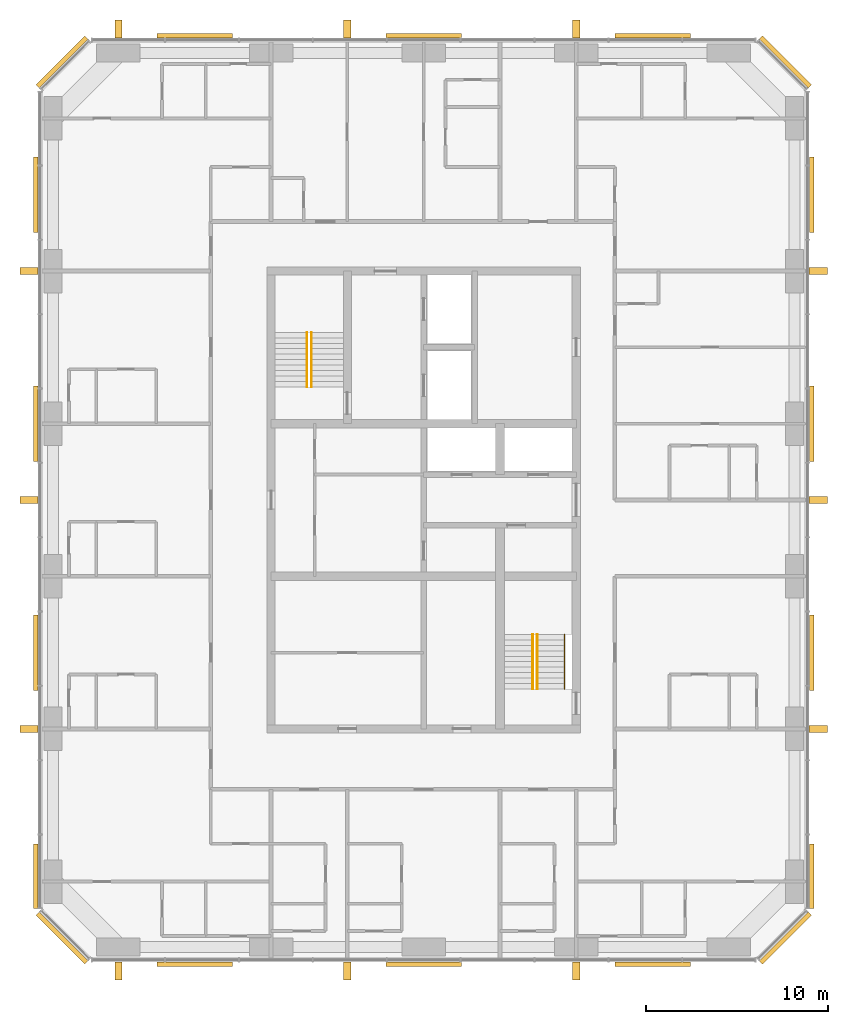
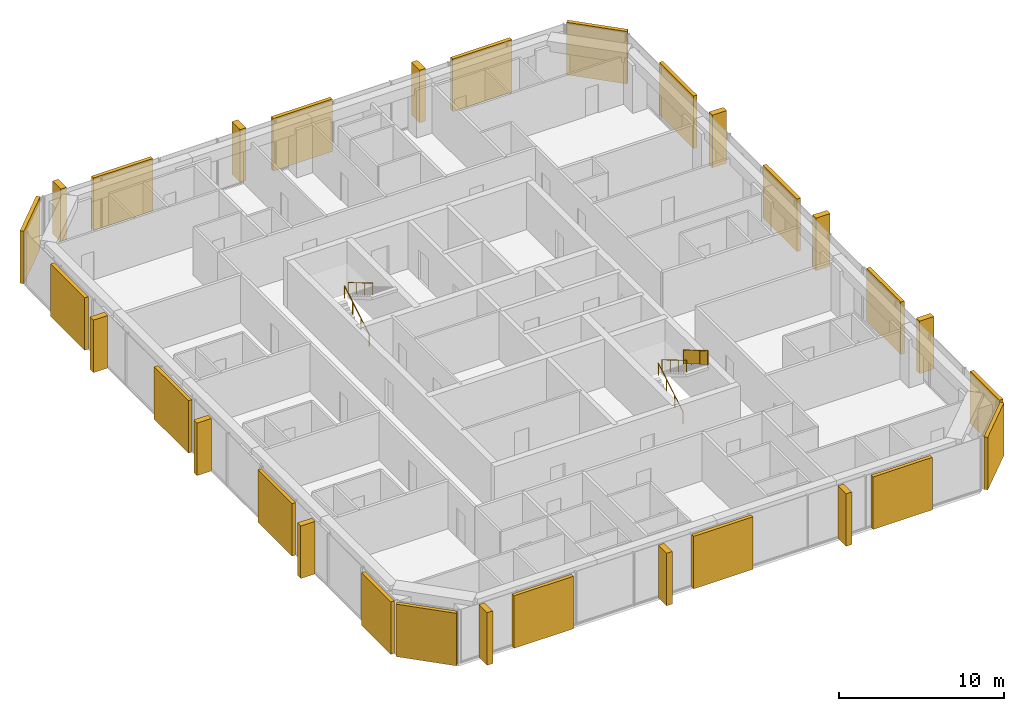
# One storey, part 12 of 12: 18 coverings, 12 shading devices, 5 railings.
"""IFC4 building model written with IfcOpenShell, lengths in metres."""

from ifc_helpers import new_model, si_unit, direction, frame, origin, origin_2d, place, context, subcontext, project, spatial, polyline, rectangle, circle, outline, extrude, material, layer, layer_set, type_object, element, save


model = new_model("IFC4")

# Units and contexts
model_context = context("Model", 3, precision=1e-05, world=origin(), true_north=direction((0.0, 1.0)))
body_context = subcontext(model_context, "Body", "Model", "MODEL_VIEW")
ifc_project = project(units=[si_unit("LENGTHUNIT", "METRE"), si_unit("AREAUNIT", "SQUARE_METRE"), si_unit("VOLUMEUNIT", "CUBIC_METRE"), si_unit("PLANEANGLEUNIT", "RADIAN"), si_unit("MASSUNIT", "GRAM", prefix="KILO")], contexts=[model_context])

# Site, building, storey
site_placement = place(None, origin())
site = spatial("IfcSite", under=ifc_project, at=site_placement, CompositionType="ELEMENT")
building_placement = place(site_placement, origin())
building = spatial("IfcBuilding", under=site, at=building_placement, Name="Dunama Terrace Hotel", CompositionType="ELEMENT")
storey_placement = place(building_placement, frame((0.0, 0.0, 241.199951171875)))
storey = spatial("IfcBuildingStorey", under=building, at=storey_placement, Name="L62", CompositionType="ELEMENT", Elevation=241.199951171875)

# Railings
ifc_material_1 = material(Name="Stainless steel and laminated glass guard", Category="steel")
railing_type_1 = type_object("IfcRailingType", Name="Guard 1100", PredefinedType="GUARDRAIL", material=ifc_material_1)
railing_1_placement = place(storey_placement, frame((41.35009765625, 22.0, 2.12744140625)))
element("IfcRailing", 1, at=railing_1_placement, inside=storey, type_object=railing_type_1, Name="Stair guard ST2 L62", PredefinedType="GUARDRAIL", context=body_context, shape_type="SweptSolid", body=[
    extrude(circle(Radius=0.02392578125, at=origin_2d()), frame((0.0, 0.0, 1.076171875), z_axis=(0.0, -0.86092931783, 0.508724591208), x_axis=(1.0, 0.0, 0.0)), (0.0, 0.0, 1.0), 3.484619140625),
    extrude(circle(Radius=0.02099609375, at=origin_2d()), origin(), (0.0, 0.0, 1.0), 1.052001953125),
    extrude(circle(Radius=0.02099609375, at=origin_2d()), frame((0.0, -1.0, 0.5908203125)), (0.0, 0.0, 1.0), 1.052001953125),
    extrude(circle(Radius=0.02099609375, at=origin_2d()), frame((0.0, -2.0, 1.181884765625)), (0.0, 0.0, 1.0), 1.052001953125),
    extrude(circle(Radius=0.02099609375, at=origin_2d()), frame((0.0, -3.0, 1.772705078125)), (0.0, 0.0, 1.0), 1.052001953125),
    extrude(outline(polyline([(0.0048828125, 0.052978515625), (0.9951171875, 0.63818359375), (0.9951171875, 1.6640625), (0.0048828125, 1.078857421875), (0.0048828125, 0.052978515625)])), frame((0.0087890625, 0.0, 0.0), z_axis=(-1.0, 0.0, 0.0), x_axis=(0.0, -1.0, 0.0)), (0.0, 0.0, 1.0), 0.017578125),
    extrude(outline(polyline([(0.0048828125, 0.052978515625), (0.9951171875, 0.63818359375), (0.9951171875, 1.6640625), (0.0048828125, 1.078857421875), (0.0048828125, 0.052978515625)])), frame((0.0087890625, -1.0, 0.5908203125), z_axis=(-1.0, 0.0, 0.0), x_axis=(0.0, -1.0, 0.0)), (0.0, 0.0, 1.0), 0.017578125),
    extrude(outline(polyline([(0.0048828125, 0.052978515625), (0.9951171875, 0.63818359375), (0.9951171875, 1.6640625), (0.0048828125, 1.078857421875), (0.0048828125, 0.052978515625)])), frame((0.0087890625, -2.0, 1.181884765625), z_axis=(-1.0, 0.0, 0.0), x_axis=(0.0, -1.0, 0.0)), (0.0, 0.0, 1.0), 0.017578125),
])
ifc_material_2 = material(Name="Stainless steel handrail", Category="steel")
railing_type_2 = type_object("IfcRailingType", Name="Stair handrail 900", PredefinedType="HANDRAIL", material=ifc_material_2)
railing_2_placement = place(storey_placement, frame((27.175048828125, 35.625, 0.17724609375)))
element("IfcRailing", 2, at=railing_2_placement, inside=storey, type_object=railing_type_2, Name="Handrail ST1 L62", PredefinedType="HANDRAIL", context=body_context, shape_type="SweptSolid", body=[
    extrude(circle(Radius=0.02392578125, at=origin_2d()), frame((0.0, 0.0, 0.8759765625), z_axis=(0.0, 0.86092931783, 0.508724591208), x_axis=(-1.0, 0.0, 0.0)), (0.0, 0.0, 1.0), 3.484619140625),
    extrude(circle(Radius=0.02099609375, at=origin_2d()), origin(), (0.0, 0.0, 1.0), 0.851806640625),
    extrude(circle(Radius=0.02099609375, at=origin_2d()), frame((0.0, 1.0, 0.5908203125)), (0.0, 0.0, 1.0), 0.851806640625),
    extrude(circle(Radius=0.02099609375, at=origin_2d()), frame((0.0, 2.0, 1.181884765625)), (0.0, 0.0, 1.0), 0.851806640625),
    extrude(circle(Radius=0.02099609375, at=origin_2d()), frame((0.0, 3.0, 1.772705078125)), (0.0, 0.0, 1.0), 0.851806640625),
])
railing_3_placement = place(storey_placement, frame((27.425048828125, 38.625, 2.12744140625)))
element("IfcRailing", 3, at=railing_3_placement, inside=storey, type_object=railing_type_2, Name="Handrail ST1 L62", PredefinedType="HANDRAIL", context=body_context, shape_type="SweptSolid", body=[
    extrude(circle(Radius=0.02392578125, at=origin_2d()), frame((0.0, 0.0, 0.8759765625), z_axis=(0.0, -0.86092931783, 0.508724591208), x_axis=(1.0, 0.0, 0.0)), (0.0, 0.0, 1.0), 3.484619140625),
    extrude(circle(Radius=0.02099609375, at=origin_2d()), origin(), (0.0, 0.0, 1.0), 0.851806640625),
    extrude(circle(Radius=0.02099609375, at=origin_2d()), frame((0.0, -1.0, 0.5908203125)), (0.0, 0.0, 1.0), 0.851806640625),
    extrude(circle(Radius=0.02099609375, at=origin_2d()), frame((0.0, -2.0, 1.181884765625)), (0.0, 0.0, 1.0), 0.851806640625),
    extrude(circle(Radius=0.02099609375, at=origin_2d()), frame((0.0, -3.0, 1.772705078125)), (0.0, 0.0, 1.0), 0.851806640625),
])
railing_4_placement = place(storey_placement, frame((39.60009765625, 19.0, 0.17724609375)))
element("IfcRailing", 4, at=railing_4_placement, inside=storey, type_object=railing_type_2, Name="Handrail ST2 L62", PredefinedType="HANDRAIL", context=body_context, shape_type="SweptSolid", body=[
    extrude(circle(Radius=0.02392578125, at=origin_2d()), frame((0.0, 0.0, 0.8759765625), z_axis=(0.0, 0.86092931783, 0.508724591208), x_axis=(-1.0, 0.0, 0.0)), (0.0, 0.0, 1.0), 3.484619140625),
    extrude(circle(Radius=0.02099609375, at=origin_2d()), origin(), (0.0, 0.0, 1.0), 0.851806640625),
    extrude(circle(Radius=0.02099609375, at=origin_2d()), frame((0.0, 1.0, 0.5908203125)), (0.0, 0.0, 1.0), 0.851806640625),
    extrude(circle(Radius=0.02099609375, at=origin_2d()), frame((0.0, 2.0, 1.181884765625)), (0.0, 0.0, 1.0), 0.851806640625),
    extrude(circle(Radius=0.02099609375, at=origin_2d()), frame((0.0, 3.0, 1.772705078125)), (0.0, 0.0, 1.0), 0.851806640625),
])
railing_5_placement = place(storey_placement, frame((39.85009765625, 22.0, 2.12744140625)))
element("IfcRailing", 5, at=railing_5_placement, inside=storey, type_object=railing_type_2, Name="Handrail ST2 L62", PredefinedType="HANDRAIL", context=body_context, shape_type="SweptSolid", body=[
    extrude(circle(Radius=0.02392578125, at=origin_2d()), frame((0.0, 0.0, 0.8759765625), z_axis=(0.0, -0.86092931783, 0.508724591208), x_axis=(1.0, 0.0, 0.0)), (0.0, 0.0, 1.0), 3.484619140625),
    extrude(circle(Radius=0.02099609375, at=origin_2d()), origin(), (0.0, 0.0, 1.0), 0.851806640625),
    extrude(circle(Radius=0.02099609375, at=origin_2d()), frame((0.0, -1.0, 0.5908203125)), (0.0, 0.0, 1.0), 0.851806640625),
    extrude(circle(Radius=0.02099609375, at=origin_2d()), frame((0.0, -2.0, 1.181884765625)), (0.0, 0.0, 1.0), 0.851806640625),
    extrude(circle(Radius=0.02099609375, at=origin_2d()), frame((0.0, -3.0, 1.772705078125)), (0.0, 0.0, 1.0), 0.851806640625),
])

# Coverings
ifc_material_3 = material(Name="Warm reconstituted stone panel", Category="masonry")
ifc_layer_1 = layer(ifc_material_3, 0.25)
ifc_layer_set_1 = layer_set([ifc_layer_1], Name="Stone diagonal panel")
covering_type = type_object("IfcCoveringType", Name="Stone diagonal panel", PredefinedType="CLADDING", material=ifc_layer_set_1)
for number, where, z_axis, x_axis, name in (
    (6, (21.0, 3.8369140625, 0.001953125), (0.0, 0.0, 1.0), (1.0, 0.0, 0.0), "Stone diagonal panel L62"),
    (7, (33.60009765625, 3.8369140625, 0.001953125), (0.0, 0.0, 1.0), (1.0, 0.0, 0.0), "Stone diagonal panel L62"),
    (8, (46.199951171875, 3.8369140625, 0.001953125), (0.0, 0.0, 1.0), (1.0, 0.0, 0.0), "Stone diagonal panel L62"),
):
    element("IfcCovering", number, at=place(storey_placement, frame(where, z_axis=z_axis, x_axis=x_axis)), inside=storey, type_object=covering_type, Name=name, PredefinedType="CLADDING", context=body_context, shape_type="SweptSolid", body=[
        extrude(rectangle(XDim=4.14990234375, YDim=0.25, at=origin_2d()), origin(), (0.0, 0.0, 1.0), 3.89599609375),
    ])
covering_1_placement = place(storey_placement, frame((53.507080078125, 5.29296875, 0.001953125), z_axis=(0.0, 0.0, 1.0), x_axis=(0.707106781187, 0.707106781187, 0.0)))
element("IfcCovering", 9, at=covering_1_placement, inside=storey, type_object=covering_type, Name="Stone diagonal panel L62", PredefinedType="CLADDING", context=body_context, shape_type="SweptSolid", body=[
    extrude(rectangle(XDim=3.808349609375, YDim=0.25, at=origin_2d()), origin(), (0.0, 0.0, 1.0), 3.89599609375),
])
covering_2_placement = place(storey_placement, frame((54.962890625, 8.68994140625, 0.001953125), z_axis=(0.0, 0.0, 1.0), x_axis=(0.0, 1.0, 0.0)))
element("IfcCovering", 10, at=covering_2_placement, inside=storey, type_object=covering_type, Name="Stone diagonal panel L62", PredefinedType="CLADDING", context=body_context, shape_type="SweptSolid", body=[
    extrude(rectangle(XDim=3.570068359375, YDim=0.25, at=origin_2d()), origin(), (0.0, 0.0, 1.0), 3.89599609375),
])
for number, where, z_axis, x_axis, name in (
    (11, (54.962890625, 21.0, 0.001953125), (0.0, 0.0, 1.0), (0.0, 1.0, 0.0), "Stone diagonal panel L62"),
    (12, (54.962890625, 33.60009765625, 0.001953125), (0.0, 0.0, 1.0), (0.0, 1.0, 0.0), "Stone diagonal panel L62"),
    (13, (54.962890625, 46.199951171875, 0.001953125), (0.0, 0.0, 1.0), (0.0, 1.0, 0.0), "Stone diagonal panel L62"),
):
    element("IfcCovering", number, at=place(storey_placement, frame(where, z_axis=z_axis, x_axis=x_axis)), inside=storey, type_object=covering_type, Name=name, PredefinedType="CLADDING", context=body_context, shape_type="SweptSolid", body=[
        extrude(rectangle(XDim=4.14990234375, YDim=0.25, at=origin_2d()), origin(), (0.0, 0.0, 1.0), 3.89599609375),
    ])
covering_3_placement = place(storey_placement, frame((53.507080078125, 53.507080078125, 0.001953125), z_axis=(0.0, 0.0, 1.0), x_axis=(-0.707106781187, 0.707106781187, 0.0)))
element("IfcCovering", 14, at=covering_3_placement, inside=storey, type_object=covering_type, Name="Stone diagonal panel L62", PredefinedType="CLADDING", context=body_context, shape_type="SweptSolid", body=[
    extrude(rectangle(XDim=3.808349609375, YDim=0.25, at=origin_2d()), origin(), (0.0, 0.0, 1.0), 3.89599609375),
])
for number, where, z_axis, x_axis, name in (
    (15, (46.199951171875, 54.962890625, 0.001953125), (0.0, 0.0, 1.0), (-1.0, 0.0, 0.0), "Stone diagonal panel L62"),
    (16, (33.60009765625, 54.962890625, 0.001953125), (0.0, 0.0, 1.0), (-1.0, 0.0, 0.0), "Stone diagonal panel L62"),
    (17, (21.0, 54.962890625, 0.001953125), (0.0, 0.0, 1.0), (-1.0, 0.0, 0.0), "Stone diagonal panel L62"),
):
    element("IfcCovering", number, at=place(storey_placement, frame(where, z_axis=z_axis, x_axis=x_axis)), inside=storey, type_object=covering_type, Name=name, PredefinedType="CLADDING", context=body_context, shape_type="SweptSolid", body=[
        extrude(rectangle(XDim=4.14990234375, YDim=0.25, at=origin_2d()), origin(), (0.0, 0.0, 1.0), 3.89599609375),
    ])
covering_4_placement = place(storey_placement, frame((13.693115234375, 53.507080078125, 0.001953125), z_axis=(0.0, 0.0, 1.0), x_axis=(-0.707106781187, -0.707106781187, 0.0)))
element("IfcCovering", 18, at=covering_4_placement, inside=storey, type_object=covering_type, Name="Stone diagonal panel L62", PredefinedType="CLADDING", context=body_context, shape_type="SweptSolid", body=[
    extrude(rectangle(XDim=3.808349609375, YDim=0.25, at=origin_2d()), origin(), (0.0, 0.0, 1.0), 3.89599609375),
])
for number, where, z_axis, x_axis, name in (
    (19, (12.237060546875, 46.199951171875, 0.001953125), (0.0, 0.0, 1.0), (0.0, -1.0, 0.0), "Stone diagonal panel L62"),
    (20, (12.237060546875, 33.60009765625, 0.001953125), (0.0, 0.0, 1.0), (0.0, -1.0, 0.0), "Stone diagonal panel L62"),
    (21, (12.237060546875, 21.0, 0.001953125), (0.0, 0.0, 1.0), (0.0, -1.0, 0.0), "Stone diagonal panel L62"),
):
    element("IfcCovering", number, at=place(storey_placement, frame(where, z_axis=z_axis, x_axis=x_axis)), inside=storey, type_object=covering_type, Name=name, PredefinedType="CLADDING", context=body_context, shape_type="SweptSolid", body=[
        extrude(rectangle(XDim=4.14990234375, YDim=0.25, at=origin_2d()), origin(), (0.0, 0.0, 1.0), 3.89599609375),
    ])
covering_5_placement = place(storey_placement, frame((12.237060546875, 8.68994140625, 0.001953125), z_axis=(0.0, 0.0, 1.0), x_axis=(0.0, -1.0, 0.0)))
element("IfcCovering", 22, at=covering_5_placement, inside=storey, type_object=covering_type, Name="Stone diagonal panel L62", PredefinedType="CLADDING", context=body_context, shape_type="SweptSolid", body=[
    extrude(rectangle(XDim=3.570068359375, YDim=0.25, at=origin_2d()), origin(), (0.0, 0.0, 1.0), 3.89599609375),
])
covering_6_placement = place(storey_placement, frame((13.693115234375, 5.29296875, 0.001953125), z_axis=(0.0, 0.0, 1.0), x_axis=(0.707106781187, -0.707106781187, 0.0)))
element("IfcCovering", 23, at=covering_6_placement, inside=storey, type_object=covering_type, Name="Stone diagonal panel L62", PredefinedType="CLADDING", context=body_context, shape_type="SweptSolid", body=[
    extrude(rectangle(XDim=3.808349609375, YDim=0.25, at=origin_2d()), origin(), (0.0, 0.0, 1.0), 3.89599609375),
])

# Shading devices
ifc_material_4 = material(Name="Warm reconstituted stone fin", Category="masonry")
ifc_layer_2 = layer(ifc_material_4, 0.39990234375)
ifc_layer_set_2 = layer_set([ifc_layer_2], Name="Warm stone fin 400x1000")
shading_device_type = type_object("IfcShadingDeviceType", Name="Warm stone fin 400x1000", PredefinedType="USERDEFINED", material=ifc_layer_set_2)
for number, where, z_axis, x_axis, name in (
    (24, (16.800048828125, 3.48193359375, 0.0), (0.0, 0.0, 1.0), (1.0, 0.0, 0.0), "Stone fin"),
    (25, (29.39990234375, 3.48193359375, 0.0), (0.0, 0.0, 1.0), (1.0, 0.0, 0.0), "Stone fin"),
    (26, (42.0, 3.48193359375, 0.0), (0.0, 0.0, 1.0), (1.0, 0.0, 0.0), "Stone fin"),
    (27, (55.318115234375, 16.800048828125, 0.0), (0.0, 0.0, 1.0), (0.0, 1.0, 0.0), "Stone fin"),
    (28, (55.318115234375, 29.39990234375, 0.0), (0.0, 0.0, 1.0), (0.0, 1.0, 0.0), "Stone fin"),
    (29, (55.318115234375, 42.0, 0.0), (0.0, 0.0, 1.0), (0.0, 1.0, 0.0), "Stone fin"),
    (30, (42.0, 55.318115234375, 0.0), (0.0, 0.0, 1.0), (-1.0, 0.0, 0.0), "Stone fin"),
    (31, (29.39990234375, 55.318115234375, 0.0), (0.0, 0.0, 1.0), (-1.0, 0.0, 0.0), "Stone fin"),
    (32, (16.800048828125, 55.318115234375, 0.0), (0.0, 0.0, 1.0), (-1.0, 0.0, 0.0), "Stone fin"),
    (33, (11.882080078125, 42.0, 0.0), (0.0, 0.0, 1.0), (0.0, -1.0, 0.0), "Stone fin"),
    (34, (11.882080078125, 29.39990234375, 0.0), (0.0, 0.0, 1.0), (0.0, -1.0, 0.0), "Stone fin"),
    (35, (11.882080078125, 16.800048828125, 0.0), (0.0, 0.0, 1.0), (0.0, -1.0, 0.0), "Stone fin"),
):
    element("IfcShadingDevice", number, at=place(storey_placement, frame(where, z_axis=z_axis, x_axis=x_axis)), inside=storey, type_object=shading_device_type, Name=name, ObjectType="FIN", PredefinedType="USERDEFINED", context=body_context, shape_type="SweptSolid", body=[
        extrude(rectangle(XDim=0.39990234375, YDim=1.0, at=origin_2d()), origin(), (0.0, 0.0, 1.0), 3.89990234375),
    ])

save(model, "model.ifc")
